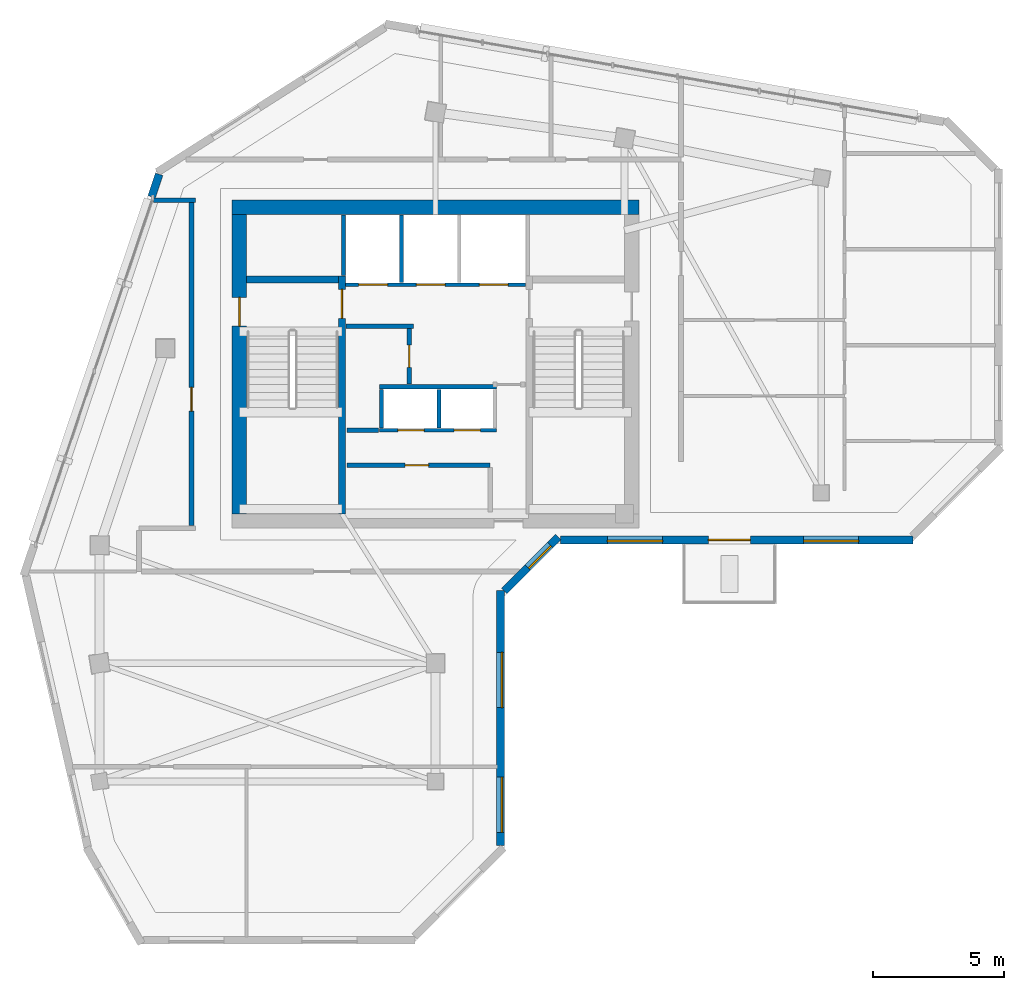
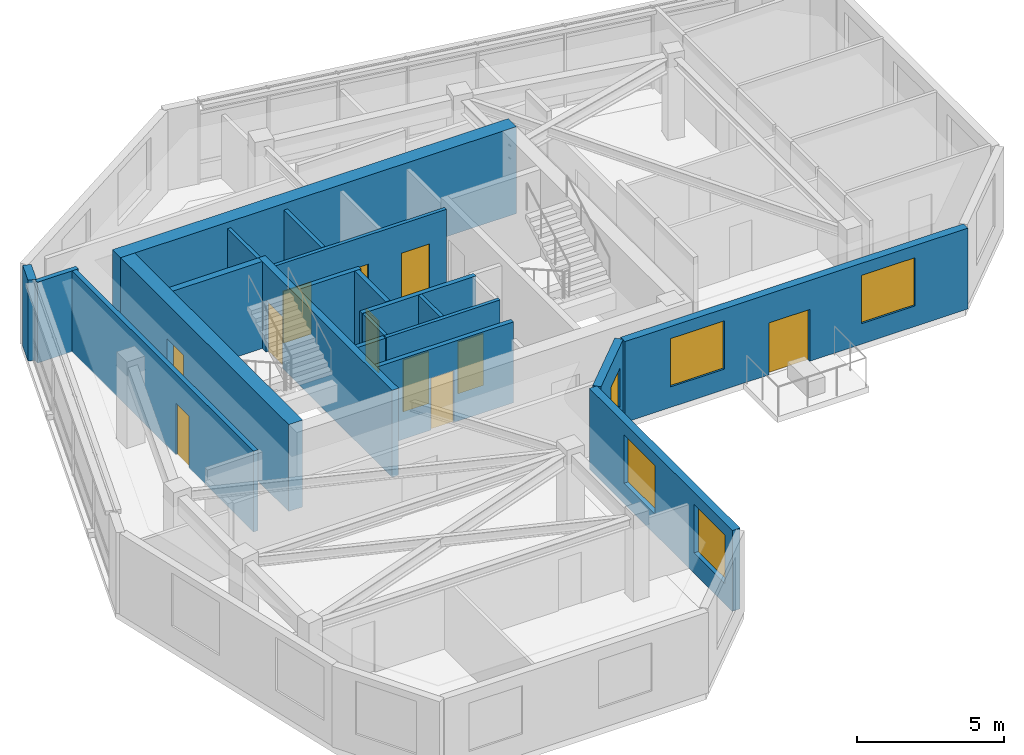
# One storey, part 4 of 9: 21 walls, 11 doors, 5 windows, 16 openings.
"""IFC4 building model written with IfcOpenShell, lengths in metres."""

from ifc_helpers import new_model, si_unit, direction, frame, frame_2d, origin, place, context, subcontext, project, spatial, rectangle, extrude, source, transform, mapped, material, layer, layer_set, type_object, element, fill, save


model = new_model("IFC4")

# Units and contexts
model_context = context("Model", 3, precision=1e-05, world=origin(), true_north=direction((0.0, 1.0)))
body_context = subcontext(model_context, "Body", "Model", "MODEL_VIEW")
ifc_project = project(units=[si_unit("LENGTHUNIT", "METRE"), si_unit("AREAUNIT", "SQUARE_METRE"), si_unit("VOLUMEUNIT", "CUBIC_METRE"), si_unit("PLANEANGLEUNIT", "RADIAN"), si_unit("MASSUNIT", "GRAM", prefix="KILO")], contexts=[model_context])

# Site, building, storey
site_placement = place(None, origin())
site = spatial("IfcSite", under=ifc_project, at=site_placement, CompositionType="ELEMENT")
building_placement = place(site_placement, origin())
building = spatial("IfcBuilding", under=site, at=building_placement, Name="Calvemar Wedge Station Tower", CompositionType="ELEMENT")
storey_placement = place(building_placement, frame((0.0, 0.0, 270.89990234375)))
storey = spatial("IfcBuildingStorey", under=building, at=storey_placement, Name="L69", CompositionType="ELEMENT", Elevation=270.89990234375)

# Wall, opening, door
ifc_material_1 = material(Name="Concrete C50", Category="concrete")
ifc_layer_1 = layer(ifc_material_1, 0.260009765625)
ifc_layer_set_1 = layer_set([ifc_layer_1], Name="Concrete C50")
wall_type_1 = type_object("IfcWallType", Name="SW-CORE-260", PredefinedType="SHEAR", material=ifc_layer_set_1)
wall_1_placement = place(storey_placement, frame((20.22998046875, 34.199951171875, 0.0), z_axis=(0.0, 0.0, 1.0), x_axis=(0.0, 1.0, 0.0)))
wall_1 = element("IfcWall", 1, at=wall_1_placement, inside=storey, type_object=wall_type_1, Name="Storey L69 Core Shear Wall SPINE-W", PredefinedType="SHEAR", context=body_context, shape_type="SweptSolid", body=[
    extrude(rectangle(XDim=9.06005859375, YDim=0.260009765625, at=frame_2d((4.530029296875, 0.0))), origin(), (0.0, 0.0, 1.0), 3.60009765625),
])
shared_shape_1 = source(origin(), body_context, "Body", "SweptSolid", [
    extrude(rectangle(XDim=1.10009765625, YDim=2.14990234375, at=frame_2d((0.550048828125, 1.074951171875))), frame((0.0, 0.14013671875, 0.0), z_axis=(0.0, -1.0, 0.0), x_axis=(1.0, 0.0, 0.0)), (0.0, 0.0, 1.0), 0.280029296875),
])
opening_1_placement = place(wall_1_placement, frame((7.449951171875, 0.0, 0.0)))
opening_1 = element("IfcOpeningElement", 2, at=opening_1_placement, cuts=wall_1, Name="Opening FD-90", PredefinedType="OPENING", context=body_context, shape_type="MappedRepresentation", body=[
    mapped(shared_shape_1, transform((0.0, 0.0, 0.0), scale=1.0)),
])
ifc_material_2 = material(Name="Galvanized fire-rated steel door leaf P-90", Category="steel")
door_type_1 = type_object("IfcDoorType", Name="DR-FD90-1100", OperationType="NOTDEFINED", PredefinedType="DOOR", material=ifc_material_2)
shared_shape_2 = source(origin(), body_context, "Body", "SweptSolid", [
    extrude(rectangle(XDim=1.10009765625, YDim=2.14990234375, at=frame_2d((0.550048828125, 1.074951171875))), frame((0.0, 0.02490234375, 0.0), z_axis=(0.0, -1.0, 0.0), x_axis=(1.0, 0.0, 0.0)), (0.0, 0.0, 1.0), 0.050048828125),
])
door_1_placement = place(opening_1_placement, origin())
door_1 = element("IfcDoor", 3, at=door_1_placement, inside=storey, type_object=door_type_1, Name="L69 FF Lobby to Stair ST-C1 Door", OperationType="SINGLE_SWING_LEFT", OverallHeight=2.14990234375, OverallWidth=1.10009765625, PredefinedType="DOOR", context=body_context, shape_type="MappedRepresentation", body=[
    mapped(shared_shape_2, transform((0.0, 0.0, 0.0), scale=1.0)),
])
fill(opening_1, door_1)

# Walls
wall_2_placement = place(storey_placement, frame((16.60009765625, 43.1298828125, 0.0), z_axis=(0.0, 0.0, 1.0), x_axis=(1.0, 0.0, 0.0)))
element("IfcWall", 4, at=wall_2_placement, inside=storey, type_object=wall_type_1, Name="Storey L69 Core Shear Wall STC1-N", PredefinedType="SHEAR", context=body_context, shape_type="SweptSolid", body=[
    extrude(rectangle(XDim=3.5, YDim=0.260009765625, at=frame_2d((1.75, 0.0))), origin(), (0.0, 0.0, 1.0), 3.60009765625),
])
ifc_material_3 = material(Name="Concrete C60", Category="concrete")
ifc_layer_2 = layer(ifc_material_3, 0.550048828125)
ifc_layer_set_2 = layer_set([ifc_layer_2], Name="Concrete C60")
wall_type_2 = type_object("IfcWallType", Name="SW-CORE-550", PredefinedType="SHEAR", material=ifc_layer_set_2)
wall_3_placement = place(storey_placement, frame((16.050048828125, 45.875, 0.0), z_axis=(0.0, 0.0, 1.0), x_axis=(1.0, 0.0, 0.0)))
element("IfcWall", 5, at=wall_3_placement, inside=storey, type_object=wall_type_2, Name="Storey L69 Core Shear Wall N", PredefinedType="SHEAR", context=body_context, shape_type="SweptSolid", body=[
    extrude(rectangle(XDim=15.5, YDim=0.550048828125, at=frame_2d((7.75, 0.0))), origin(), (0.0, 0.0, 1.0), 3.60009765625),
])

# Wall, opening, door
wall_4_placement = place(storey_placement, frame((16.324951171875, 34.199951171875, 0.0), z_axis=(0.0, 0.0, 1.0), x_axis=(0.0, 1.0, 0.0)))
wall_4 = element("IfcWall", 6, at=wall_4_placement, inside=storey, type_object=wall_type_2, Name="Storey L69 Core Shear Wall W", PredefinedType="SHEAR", context=body_context, shape_type="SweptSolid", body=[
    extrude(rectangle(XDim=11.400146484375, YDim=0.550048828125, at=frame_2d((5.7001953125, 0.0))), origin(), (0.0, 0.0, 1.0), 3.60009765625),
])
shared_shape_3 = source(origin(), body_context, "Body", "SweptSolid", [
    extrude(rectangle(XDim=1.10009765625, YDim=2.14990234375, at=frame_2d((0.550048828125, 1.074951171875))), frame((0.0, 0.28515625, 0.0), z_axis=(0.0, -1.0, 0.0), x_axis=(1.0, 0.0, 0.0)), (0.0, 0.0, 1.0), 0.570068359375),
])
opening_2_placement = place(wall_4_placement, frame((7.14990234375, 0.0, 0.0)))
opening_2 = element("IfcOpeningElement", 7, at=opening_2_placement, cuts=wall_4, Name="Opening FD-90", PredefinedType="OPENING", context=body_context, shape_type="MappedRepresentation", body=[
    mapped(shared_shape_3, transform((0.0, 0.0, 0.0), scale=1.0)),
])
door_2_placement = place(opening_2_placement, origin())
door_2 = element("IfcDoor", 8, at=door_2_placement, inside=storey, type_object=door_type_1, Name="L69 West Corridor to Exit Stair ST-C1 Door", OperationType="SINGLE_SWING_LEFT", OverallHeight=2.14990234375, OverallWidth=1.10009765625, PredefinedType="DOOR", context=body_context, shape_type="MappedRepresentation", body=[
    mapped(shared_shape_2, transform((0.0, 0.0, 0.0), scale=1.0)),
])
fill(opening_2, door_2)

# Wall
ifc_material_4 = material(Name="Double-stud fire-rated corridor partition")
ifc_layer_3 = layer(ifc_material_4, 0.179931640625)
ifc_layer_set_3 = layer_set([ifc_layer_3], Name="Double-stud fire-rated corridor partition")
wall_type_3 = type_object("IfcWallType", Name="W-CORR-180", PredefinedType="PARTITIONING", material=ifc_layer_set_3)
wall_5_placement = place(storey_placement, frame((22.9599609375, 41.35009765625, 0.0), z_axis=(0.0, 0.0, 1.0), x_axis=(-1.0, 0.0, 0.0)))
element("IfcWall", 9, at=wall_5_placement, inside=storey, type_object=wall_type_3, Name="Storey L69 Interior Partition WL-L69-001", PredefinedType="PARTITIONING", context=body_context, shape_type="SweptSolid", body=[
    extrude(rectangle(XDim=2.580078125, YDim=0.179931640625, at=frame_2d((1.2900390625, 0.0))), origin(), (0.0, 0.0, 1.0), 3.35009765625),
])

# Wall, opening, door
wall_6_placement = place(storey_placement, frame((22.800048828125, 41.256103515625, 0.0), z_axis=(0.0, 0.0, 1.0), x_axis=(0.0, -1.0, 0.0)))
wall_6 = element("IfcWall", 10, at=wall_6_placement, inside=storey, type_object=wall_type_3, Name="Storey L69 Interior Partition WL-L69-002", PredefinedType="PARTITIONING", context=body_context, shape_type="SweptSolid", body=[
    extrude(rectangle(XDim=2.106201171875, YDim=0.179931640625, at=frame_2d((1.05322265625, 0.0))), origin(), (0.0, 0.0, 1.0), 3.35009765625),
])
shared_shape_4 = source(origin(), body_context, "Body", "SweptSolid", [
    extrude(rectangle(XDim=0.85009765625, YDim=2.14990234375, at=frame_2d((0.425048828125, 1.074951171875))), frame((0.0, 0.10009765625, 0.0), z_axis=(0.0, -1.0, 0.0), x_axis=(1.0, 0.0, 0.0)), (0.0, 0.0, 1.0), 0.199951171875),
])
opening_3_placement = place(wall_6_placement, frame((0.6279296875, 0.0, 0.0)))
opening_3 = element("IfcOpeningElement", 11, at=opening_3_placement, cuts=wall_6, Name="Opening FD-60S", PredefinedType="OPENING", context=body_context, shape_type="MappedRepresentation", body=[
    mapped(shared_shape_4, transform((0.0, 0.0, 0.0), scale=1.0)),
])
ifc_material_5 = material(Name="Fire-rated steel and hardwood service door EI 60", Category="steel")
door_type_2 = type_object("IfcDoorType", Name="DR-CORE-FD60-850", OperationType="NOTDEFINED", PredefinedType="DOOR", material=ifc_material_5)
shared_shape_5 = source(origin(), body_context, "Body", "SweptSolid", [
    extrude(rectangle(XDim=0.85009765625, YDim=2.14990234375, at=frame_2d((0.425048828125, 1.074951171875))), frame((0.0, 0.02490234375, 0.0), z_axis=(0.0, -1.0, 0.0), x_axis=(1.0, 0.0, 0.0)), (0.0, 0.0, 1.0), 0.050048828125),
])
door_3_placement = place(opening_3_placement, origin())
door_3 = element("IfcDoor", 12, at=door_3_placement, inside=storey, type_object=door_type_2, Name="L69 Core Electrical Switch Room Door", OperationType="SINGLE_SWING_RIGHT", OverallHeight=2.14990234375, OverallWidth=0.85009765625, PredefinedType="DOOR", context=body_context, shape_type="MappedRepresentation", body=[
    mapped(shared_shape_5, transform((0.0, 0.0, 0.0), scale=1.0)),
])
fill(opening_3, door_3)

# Wall
wall_7_placement = place(storey_placement, frame((21.6298828125, 37.3798828125, 0.0), z_axis=(0.0, 0.0, 1.0), x_axis=(-1.0, 0.0, 0.0)))
element("IfcWall", 13, at=wall_7_placement, inside=storey, type_object=wall_type_3, Name="Storey L69 Interior Partition WL-L69-003", PredefinedType="PARTITIONING", context=body_context, shape_type="SweptSolid", body=[
    extrude(rectangle(XDim=1.2099609375, YDim=0.179931640625, at=frame_2d((0.60498046875, 0.0))), origin(), (0.0, 0.0, 1.0), 3.35009765625),
])

# Wall, opening, door
wall_8_placement = place(storey_placement, frame((20.419921875, 36.050048828125, 0.0), z_axis=(0.0, 0.0, 1.0), x_axis=(1.0, 0.0, 0.0)))
wall_8 = element("IfcWall", 14, at=wall_8_placement, inside=storey, type_object=wall_type_3, Name="Storey L69 Interior Partition WL-L69-005", PredefinedType="PARTITIONING", context=body_context, shape_type="SweptSolid", body=[
    extrude(rectangle(XDim=5.4599609375, YDim=0.179931640625, at=frame_2d((2.72998046875, 0.0))), origin(), (0.0, 0.0, 1.0), 3.35009765625),
])
shared_shape_6 = source(origin(), body_context, "Body", "SweptSolid", [
    extrude(rectangle(XDim=0.89990234375, YDim=2.14990234375, at=frame_2d((0.449951171875, 1.074951171875))), frame((0.0, 0.10009765625, 0.0), z_axis=(0.0, -1.0, 0.0), x_axis=(1.0, 0.0, 0.0)), (0.0, 0.0, 1.0), 0.199951171875),
])
opening_4_placement = place(wall_8_placement, frame((2.219482421875, 0.0, 0.0)))
opening_4 = element("IfcOpeningElement", 15, at=opening_4_placement, cuts=wall_8, Name="Opening FD-60", PredefinedType="OPENING", context=body_context, shape_type="MappedRepresentation", body=[
    mapped(shared_shape_6, transform((0.0, 0.0, 0.0), scale=1.0)),
])
ifc_material_6 = material(Name="Fire-rated acoustic timber-core entrance door EI 60", Category="wood")
door_type_3 = type_object("IfcDoorType", Name="DR-FD60-900", OperationType="NOTDEFINED", PredefinedType="DOOR", material=ifc_material_6)
shared_shape_7 = source(origin(), body_context, "Body", "SweptSolid", [
    extrude(rectangle(XDim=0.89990234375, YDim=2.14990234375, at=frame_2d((0.449951171875, 1.074951171875))), frame((0.0, 0.02490234375, 0.0), z_axis=(0.0, -1.0, 0.0), x_axis=(1.0, 0.0, 0.0)), (0.0, 0.0, 1.0), 0.050048828125),
])
door_4_placement = place(opening_4_placement, origin())
door_4 = element("IfcDoor", 16, at=door_4_placement, inside=storey, type_object=door_type_3, Name="L69 Wine and Parcel Store Door", OperationType="SINGLE_SWING_RIGHT", OverallHeight=2.14990234375, OverallWidth=0.89990234375, PredefinedType="DOOR", context=body_context, shape_type="MappedRepresentation", body=[
    mapped(shared_shape_7, transform((0.0, 0.0, 0.0), scale=1.0)),
])
fill(opening_4, door_4)

wall_9_placement = place(storey_placement, frame((14.5, 33.743896484375, 0.0), z_axis=(0.0, 0.0, 1.0), x_axis=(0.0, 1.0, 0.0)))
wall_9 = element("IfcWall", 17, at=wall_9_placement, inside=storey, type_object=wall_type_3, Name="Storey L69 Interior Partition WL-L69-010", PredefinedType="PARTITIONING", context=body_context, shape_type="SweptSolid", body=[
    extrude(rectangle(XDim=12.406005859375, YDim=0.179931640625, at=frame_2d((6.203125, 0.0))), origin(), (0.0, 0.0, 1.0), 3.35009765625),
])
opening_5_placement = place(wall_9_placement, frame((4.36962890625, 0.0, 0.0)))
opening_5 = element("IfcOpeningElement", 18, at=opening_5_placement, cuts=wall_9, Name="Opening D-01", PredefinedType="OPENING", context=body_context, shape_type="MappedRepresentation", body=[
    mapped(shared_shape_6, transform((0.0, 0.0, 0.0), scale=1.0)),
])
ifc_material_7 = material(Name="Architectural hardwood acoustic swing door", Category="wood")
door_type_4 = type_object("IfcDoorType", Name="DR-INT-900", OperationType="NOTDEFINED", PredefinedType="DOOR", material=ifc_material_7)
shared_shape_8 = source(origin(), body_context, "Body", "SweptSolid", [
    extrude(rectangle(XDim=0.89990234375, YDim=2.14990234375, at=frame_2d((0.449951171875, 1.074951171875))), frame((0.0, 0.02490234375, 0.0), z_axis=(0.0, -1.0, 0.0), x_axis=(1.0, 0.0, 0.0)), (0.0, 0.0, 1.0), 0.050048828125),
])
door_5_placement = place(opening_5_placement, origin())
door_5 = element("IfcDoor", 19, at=door_5_placement, inside=storey, type_object=door_type_4, Name="L69 Resident Reading Lounge Door", OperationType="SINGLE_SWING_LEFT", OverallHeight=2.14990234375, OverallWidth=0.89990234375, PredefinedType="DOOR", context=body_context, shape_type="MappedRepresentation", body=[
    mapped(shared_shape_8, transform((0.0, 0.0, 0.0), scale=1.0)),
])
fill(opening_5, door_5)

# Wall
wall_10_placement = place(storey_placement, frame((14.659912109375, 46.14990234375, 0.0), z_axis=(0.0, 0.0, 1.0), x_axis=(-1.0, 0.0, 0.0)))
element("IfcWall", 20, at=wall_10_placement, inside=storey, type_object=wall_type_3, Name="Storey L69 Interior Partition WL-L69-011", PredefinedType="PARTITIONING", context=body_context, shape_type="SweptSolid", body=[
    extrude(rectangle(XDim=1.602294921875, YDim=0.179931640625, at=frame_2d((0.80126953125, 0.0))), origin(), (0.0, 0.0, 1.0), 3.35009765625),
])

# Wall, openings, windows
ifc_material_8 = material(Name="Precast concrete C45", Category="concrete")
ifc_layer_4 = layer(ifc_material_8, 0.300048828125)
ifc_layer_set_4 = layer_set([ifc_layer_4], Name="Precast concrete C45")
wall_type_4 = type_object("IfcWallType", Name="W-EXT-GFRC-300", PredefinedType="SOLIDWALL", material=ifc_layer_set_4)
wall_11_placement = place(storey_placement, frame((26.281982421875, 21.557373046875, 0.0), z_axis=(0.0, 0.0, 1.0), x_axis=(0.0, 1.0, 0.0)))
wall_11 = element("IfcWall", 21, at=wall_11_placement, inside=storey, type_object=wall_type_4, Name="Storey L69 Bronze GFRC Exterior Wall 4", PredefinedType="SOLIDWALL", context=body_context, shape_type="SweptSolid", body=[
    extrude(rectangle(XDim=9.710693359375, YDim=0.300048828125, at=frame_2d((4.85546875, 0.0))), origin(), (0.0, 0.0, 1.0), 3.35009765625),
])
shared_shape_9 = source(origin(), body_context, "Body", "SweptSolid", [
    extrude(rectangle(XDim=2.10009765625, YDim=2.0, at=frame_2d((1.050048828125, 1.0))), frame((0.0, 0.16015625, 0.0), z_axis=(0.0, -1.0, 0.0), x_axis=(1.0, 0.0, 0.0)), (0.0, 0.0, 1.0), 0.320068359375),
])
opening_6_placement = place(wall_11_placement, frame((0.50390625, 0.0, 0.85009765625)))
opening_6 = element("IfcOpeningElement", 22, at=opening_6_placement, cuts=wall_11, Name="Opening W4", PredefinedType="OPENING", context=body_context, shape_type="MappedRepresentation", body=[
    mapped(shared_shape_9, transform((0.0, 0.0, 0.0), scale=1.0)),
])
opening_7_placement = place(wall_11_placement, frame((5.259033203125, 0.0, 0.85009765625)))
opening_7 = element("IfcOpeningElement", 23, at=opening_7_placement, cuts=wall_11, Name="Opening W4", PredefinedType="OPENING", context=body_context, shape_type="MappedRepresentation", body=[
    mapped(shared_shape_9, transform((0.0, 0.0, 0.0), scale=1.0)),
])
ifc_material_9 = material(Name="Low-E laminated insulated glass", Category="glass")
window_type_1 = type_object("IfcWindowType", Name="WIN-EXT-4", PartitioningType="SINGLE_PANEL", PredefinedType="WINDOW", material=ifc_material_9)
shared_shape_10 = source(origin(), body_context, "Body", "SweptSolid", [
    extrude(rectangle(XDim=2.10009765625, YDim=2.0, at=frame_2d((1.050048828125, 1.0))), frame((0.0, -0.014892578125, 0.0), z_axis=(0.0, -1.0, 0.0), x_axis=(1.0, 0.0, 0.0)), (0.0, 0.0, 1.0), 0.06005859375),
])
window_1_placement = place(opening_6_placement, origin())
window_1 = element("IfcWindow", 24, at=window_1_placement, inside=storey, type_object=window_type_1, Name="Storey L69 Recessed Window 4.1", OverallHeight=2.0, OverallWidth=2.10009765625, PartitioningType="SINGLE_PANEL", PredefinedType="WINDOW", context=body_context, shape_type="MappedRepresentation", body=[
    mapped(shared_shape_10, transform((0.0, 0.0, 0.0), scale=1.0)),
])
fill(opening_6, window_1)
window_2_placement = place(opening_7_placement, origin())
window_2 = element("IfcWindow", 25, at=window_2_placement, inside=storey, type_object=window_type_1, Name="Storey L69 Recessed Window 4.2", OverallHeight=2.0, OverallWidth=2.10009765625, PartitioningType="SINGLE_PANEL", PredefinedType="WINDOW", context=body_context, shape_type="MappedRepresentation", body=[
    mapped(shared_shape_10, transform((0.0, 0.0, 0.0), scale=1.0)),
])
fill(opening_7, window_2)

# Wall, opening, window
wall_12_placement = place(storey_placement, frame((26.419921875, 31.256103515625, 0.0), z_axis=(0.0, 0.0, 1.0), x_axis=(0.707106781187, 0.707106781187, 0.0)))
wall_12 = element("IfcWall", 26, at=wall_12_placement, inside=storey, type_object=wall_type_4, Name="Storey L69 Bronze GFRC Exterior Wall 5", PredefinedType="SOLIDWALL", context=body_context, shape_type="SweptSolid", body=[
    extrude(rectangle(XDim=2.907470703125, YDim=0.300048828125, at=frame_2d((1.45361328125, 0.0))), origin(), (0.0, 0.0, 1.0), 3.35009765625),
])
shared_shape_11 = source(origin(), body_context, "Body", "SweptSolid", [
    extrude(rectangle(XDim=1.199951171875, YDim=1.60009765625, at=frame_2d((0.60009765625, 0.800048828125))), frame((0.0, 0.16015625, 0.0), z_axis=(0.0, -1.0, 0.0), x_axis=(1.0, 0.0, 0.0)), (0.0, 0.0, 1.0), 0.320068359375),
])
opening_8_placement = place(wall_12_placement, frame((1.27197265625, 0.0, 0.85009765625)))
opening_8 = element("IfcOpeningElement", 27, at=opening_8_placement, cuts=wall_12, Name="Opening W5", PredefinedType="OPENING", context=body_context, shape_type="MappedRepresentation", body=[
    mapped(shared_shape_11, transform((0.0, 0.0, 0.0), scale=1.0)),
])
window_type_2 = type_object("IfcWindowType", Name="WIN-EXT-5", PartitioningType="SINGLE_PANEL", PredefinedType="WINDOW", material=ifc_material_9)
shared_shape_12 = source(origin(), body_context, "Body", "SweptSolid", [
    extrude(rectangle(XDim=1.199951171875, YDim=1.60009765625, at=frame_2d((0.60009765625, 0.800048828125))), frame((0.0, -0.014892578125, 0.0), z_axis=(0.0, -1.0, 0.0), x_axis=(1.0, 0.0, 0.0)), (0.0, 0.0, 1.0), 0.06005859375),
])
window_3_placement = place(opening_8_placement, origin())
window_3 = element("IfcWindow", 28, at=window_3_placement, inside=storey, type_object=window_type_2, Name="Storey L69 Recessed Window 5.1", OverallHeight=1.60009765625, OverallWidth=1.199951171875, PartitioningType="SINGLE_PANEL", PredefinedType="WINDOW", context=body_context, shape_type="MappedRepresentation", body=[
    mapped(shared_shape_12, transform((0.0, 0.0, 0.0), scale=1.0)),
])
fill(opening_8, window_3)

# Wall, openings, windows, door
wall_13_placement = place(storey_placement, frame((28.56494140625, 33.2060546875, 0.0), z_axis=(0.0, 0.0, 1.0), x_axis=(1.0, 0.0, 0.0)))
wall_13 = element("IfcWall", 29, at=wall_13_placement, inside=storey, type_object=wall_type_4, Name="Storey L69 Bronze GFRC Exterior Wall 6", PredefinedType="SOLIDWALL", context=body_context, shape_type="SweptSolid", body=[
    extrude(rectangle(XDim=13.4228515625, YDim=0.300048828125, at=frame_2d((6.71142578125, 0.0))), origin(), (0.0, 0.0, 1.0), 3.35009765625),
])
shared_shape_13 = source(origin(), body_context, "Body", "SweptSolid", [
    extrude(rectangle(XDim=1.60009765625, YDim=2.14990234375, at=frame_2d((0.800048828125, 1.074951171875))), frame((0.0, 0.16015625, 0.0), z_axis=(0.0, -1.0, 0.0), x_axis=(1.0, 0.0, 0.0)), (0.0, 0.0, 1.0), 0.320068359375),
])
opening_9_placement = place(wall_13_placement, frame((5.635009765625, 0.0, 0.0)))
opening_9 = element("IfcOpeningElement", 30, at=opening_9_placement, cuts=wall_13, Name="Opening DT1", PredefinedType="OPENING", context=body_context, shape_type="MappedRepresentation", body=[
    mapped(shared_shape_13, transform((0.0, 0.0, 0.0), scale=1.0)),
])
opening_10_placement = place(wall_13_placement, frame((1.787109375, 0.0, 0.85009765625)))
opening_10 = element("IfcOpeningElement", 31, at=opening_10_placement, cuts=wall_13, Name="Opening W4", PredefinedType="OPENING", context=body_context, shape_type="MappedRepresentation", body=[
    mapped(shared_shape_9, transform((0.0, 0.0, 0.0), scale=1.0)),
])
opening_11_placement = place(wall_13_placement, frame((9.259033203125, 0.0, 0.85009765625)))
opening_11 = element("IfcOpeningElement", 32, at=opening_11_placement, cuts=wall_13, Name="Opening W4", PredefinedType="OPENING", context=body_context, shape_type="MappedRepresentation", body=[
    mapped(shared_shape_9, transform((0.0, 0.0, 0.0), scale=1.0)),
])
window_4_placement = place(opening_10_placement, origin())
window_4 = element("IfcWindow", 33, at=window_4_placement, inside=storey, type_object=window_type_1, Name="Storey L69 Recessed Window 6.1", OverallHeight=2.0, OverallWidth=2.10009765625, PartitioningType="SINGLE_PANEL", PredefinedType="WINDOW", context=body_context, shape_type="MappedRepresentation", body=[
    mapped(shared_shape_10, transform((0.0, 0.0, 0.0), scale=1.0)),
])
fill(opening_10, window_4)
window_5_placement = place(opening_11_placement, origin())
window_5 = element("IfcWindow", 34, at=window_5_placement, inside=storey, type_object=window_type_1, Name="Storey L69 Recessed Window 6.2", OverallHeight=2.0, OverallWidth=2.10009765625, PartitioningType="SINGLE_PANEL", PredefinedType="WINDOW", context=body_context, shape_type="MappedRepresentation", body=[
    mapped(shared_shape_10, transform((0.0, 0.0, 0.0), scale=1.0)),
])
fill(opening_11, window_5)
ifc_material_10 = material(Name="Anodised aluminium 6063-T6", Category="aluminium")
door_type_5 = type_object("IfcDoorType", Name="DR-TERR-1600", OperationType="DOUBLE_DOOR_SLIDING", PredefinedType="DOOR", material=ifc_material_10)
shared_shape_14 = source(origin(), body_context, "Body", "SweptSolid", [
    extrude(rectangle(XDim=1.60009765625, YDim=2.14990234375, at=frame_2d((0.800048828125, 1.074951171875))), frame((0.0, 0.02490234375, 0.0), z_axis=(0.0, -1.0, 0.0), x_axis=(1.0, 0.0, 0.0)), (0.0, 0.0, 1.0), 0.050048828125),
])
door_6_placement = place(opening_9_placement, origin())
door_6 = element("IfcDoor", 35, at=door_6_placement, inside=storey, type_object=door_type_5, Name="Storey L69 Spiral Terrace Door", OperationType="DOUBLE_DOOR_SLIDING", OverallHeight=2.14990234375, OverallWidth=1.60009765625, PredefinedType="DOOR", context=body_context, shape_type="MappedRepresentation", body=[
    mapped(shared_shape_14, transform((0.0, 0.0, 0.0), scale=1.0)),
])
fill(opening_9, door_6)

# Wall
wall_14_placement = place(storey_placement, frame((13.2685546875, 47.1337890625, 0.0), z_axis=(0.0, 0.0, 1.0), x_axis=(-0.31995770778, -0.947431826166, 0.0)))
element("IfcWall", 36, at=wall_14_placement, inside=storey, type_object=wall_type_4, Name="Storey L69 Bronze GFRC Corner Pier 12A", PredefinedType="SOLIDWALL", context=body_context, shape_type="SweptSolid", body=[
    extrude(rectangle(XDim=0.902587890625, YDim=0.300048828125, at=frame_2d((0.451171875, 0.0))), origin(), (0.0, 0.0, 1.0), 3.35009765625),
])

# Wall, openings, doors
ifc_material_11 = material(Name="Reinforced concrete blockwork lift shaft wall", Category="masonry")
ifc_layer_5 = layer(ifc_material_11, 0.139892578125)
ifc_layer_set_5 = layer_set([ifc_layer_5], Name="Reinforced concrete blockwork lift shaft wall")
wall_type_5 = type_object("IfcWallType", Name="W-LIFT-160", PredefinedType="SOLIDWALL", material=ifc_layer_set_5)
wall_15_placement = place(storey_placement, frame((20.3701171875, 42.929931640625, 0.0), z_axis=(0.0, 0.0, 1.0), x_axis=(1.0, 0.0, 0.0)))
wall_15 = element("IfcWall", 37, at=wall_15_placement, inside=storey, type_object=wall_type_5, Name="Storey L69 Firefighting and Service Lift Shaft Front Wall", PredefinedType="SOLIDWALL", context=body_context, shape_type="SweptSolid", body=[
    extrude(rectangle(XDim=6.85986328125, YDim=0.139892578125, at=frame_2d((3.429931640625, 0.0))), origin(), (0.0, 0.0, 1.0), 3.35009765625),
])
shared_shape_15 = source(origin(), body_context, "Body", "SweptSolid", [
    extrude(rectangle(XDim=1.10009765625, YDim=2.14990234375, at=frame_2d((0.550048828125, 1.074951171875))), frame((0.0, 0.080078125, 0.0), z_axis=(0.0, -1.0, 0.0), x_axis=(1.0, 0.0, 0.0)), (0.0, 0.0, 1.0), 0.159912109375),
])
opening_12_placement = place(wall_15_placement, frame((0.5, 0.0, 0.0)))
opening_12 = element("IfcOpeningElement", 38, at=opening_12_placement, cuts=wall_15, Name="Opening LD-FF", PredefinedType="OPENING", context=body_context, shape_type="MappedRepresentation", body=[
    mapped(shared_shape_15, transform((0.0, 0.0, 0.0), scale=1.0)),
])
opening_13_placement = place(wall_15_placement, frame((2.699951171875, 0.0, 0.0)))
opening_13 = element("IfcOpeningElement", 39, at=opening_13_placement, cuts=wall_15, Name="Opening LD-FF", PredefinedType="OPENING", context=body_context, shape_type="MappedRepresentation", body=[
    mapped(shared_shape_15, transform((0.0, 0.0, 0.0), scale=1.0)),
])
opening_14_placement = place(wall_15_placement, frame((5.10009765625, 0.0, 0.0)))
opening_14 = element("IfcOpeningElement", 40, at=opening_14_placement, cuts=wall_15, Name="Opening LD-STN", PredefinedType="OPENING", context=body_context, shape_type="MappedRepresentation", body=[
    mapped(shared_shape_15, transform((0.0, 0.0, 0.0), scale=1.0)),
])
ifc_material_12 = material(Name="Stainless steel firefighting lift sliding landing door", Category="steel")
door_type_6 = type_object("IfcDoorType", Name="DR-LD-FF-1100", OperationType="SLIDING_TO_LEFT", PredefinedType="DOOR", material=ifc_material_12)
shared_shape_16 = source(origin(), body_context, "Body", "SweptSolid", [
    extrude(rectangle(XDim=1.10009765625, YDim=2.14990234375, at=frame_2d((0.550048828125, 1.074951171875))), frame((0.0, 0.02490234375, 0.0), z_axis=(0.0, -1.0, 0.0), x_axis=(1.0, 0.0, 0.0)), (0.0, 0.0, 1.0), 0.050048828125),
])
door_7_placement = place(opening_12_placement, origin())
door_7 = element("IfcDoor", 41, at=door_7_placement, inside=storey, type_object=door_type_6, Name="L69 Lift FF-01 Sliding Landing Door", OperationType="SLIDING_TO_LEFT", OverallHeight=2.14990234375, OverallWidth=1.10009765625, PredefinedType="DOOR", context=body_context, shape_type="MappedRepresentation", body=[
    mapped(shared_shape_16, transform((0.0, 0.0, 0.0), scale=1.0)),
])
fill(opening_12, door_7)
door_8_placement = place(opening_13_placement, origin())
door_8 = element("IfcDoor", 42, at=door_8_placement, inside=storey, type_object=door_type_6, Name="L69 Lift FF-02 Sliding Landing Door", OperationType="SLIDING_TO_RIGHT", OverallHeight=2.14990234375, OverallWidth=1.10009765625, PredefinedType="DOOR", context=body_context, shape_type="MappedRepresentation", body=[
    mapped(shared_shape_16, transform((0.0, 0.0, 0.0), scale=1.0)),
])
fill(opening_13, door_8)
ifc_material_13 = material(Name="Stainless steel transit lift sliding landing door", Category="steel")
door_type_7 = type_object("IfcDoorType", Name="DR-LD-PAX-1100", OperationType="SLIDING_TO_LEFT", PredefinedType="DOOR", material=ifc_material_13)
shared_shape_17 = source(origin(), body_context, "Body", "SweptSolid", [
    extrude(rectangle(XDim=1.10009765625, YDim=2.14990234375, at=frame_2d((0.550048828125, 1.074951171875))), frame((0.0, 0.02490234375, 0.0), z_axis=(0.0, -1.0, 0.0), x_axis=(1.0, 0.0, 0.0)), (0.0, 0.0, 1.0), 0.050048828125),
])
door_9_placement = place(opening_14_placement, origin())
door_9 = element("IfcDoor", 43, at=door_9_placement, inside=storey, type_object=door_type_7, Name="L69 Lift SV-01 Sliding Landing Door", OperationType="SLIDING_TO_LEFT", OverallHeight=2.14990234375, OverallWidth=1.10009765625, PredefinedType="DOOR", context=body_context, shape_type="MappedRepresentation", body=[
    mapped(shared_shape_17, transform((0.0, 0.0, 0.0), scale=1.0)),
])
fill(opening_14, door_9)

# Walls
wall_16_placement = place(storey_placement, frame((20.2900390625, 43.280029296875, 0.0), z_axis=(0.0, 0.0, 1.0), x_axis=(0.0, 1.0, 0.0)))
element("IfcWall", 44, at=wall_16_placement, inside=storey, type_object=wall_type_5, Name="Storey L69 Firefighting Lift Shaft Enclosure Wall W", PredefinedType="SOLIDWALL", context=body_context, shape_type="SweptSolid", body=[
    extrude(rectangle(XDim=2.300048828125, YDim=0.139892578125, at=frame_2d((1.14990234375, 0.0))), origin(), (0.0, 0.0, 1.0), 3.35009765625),
])
wall_17_placement = place(storey_placement, frame((22.5, 43.02001953125, 0.0), z_axis=(0.0, 0.0, 1.0), x_axis=(0.0, 1.0, 0.0)))
element("IfcWall", 45, at=wall_17_placement, inside=storey, type_object=wall_type_5, Name="Storey L69 Firefighting Lift Shaft Enclosure Wall D1", PredefinedType="SOLIDWALL", context=body_context, shape_type="SweptSolid", body=[
    extrude(rectangle(XDim=2.56005859375, YDim=0.139892578125, at=frame_2d((1.280029296875, 0.0))), origin(), (0.0, 0.0, 1.0), 3.35009765625),
])

# Wall, openings, doors
wall_18_placement = place(storey_placement, frame((21.669921875, 37.3798828125, 0.0), z_axis=(0.0, 0.0, 1.0), x_axis=(1.0, 0.0, 0.0)))
wall_18 = element("IfcWall", 46, at=wall_18_placement, inside=storey, type_object=wall_type_5, Name="Storey L69 Upper Passenger Lift Bank Front Wall", PredefinedType="SOLIDWALL", context=body_context, shape_type="SweptSolid", body=[
    extrude(rectangle(XDim=4.4599609375, YDim=0.139892578125, at=frame_2d((2.22998046875, 0.0))), origin(), (0.0, 0.0, 1.0), 3.35009765625),
])
shared_shape_18 = source(origin(), body_context, "Body", "SweptSolid", [
    extrude(rectangle(XDim=1.0, YDim=2.14990234375, at=frame_2d((0.5, 1.074951171875))), frame((0.0, 0.080078125, 0.0), z_axis=(0.0, -1.0, 0.0), x_axis=(1.0, 0.0, 0.0)), (0.0, 0.0, 1.0), 0.159912109375),
])
opening_15_placement = place(wall_18_placement, frame((0.695068359375, 0.0, 0.0)))
opening_15 = element("IfcOpeningElement", 47, at=opening_15_placement, cuts=wall_18, Name="Opening LD-PAX", PredefinedType="OPENING", context=body_context, shape_type="MappedRepresentation", body=[
    mapped(shared_shape_18, transform((0.0, 0.0, 0.0), scale=1.0)),
])
opening_16_placement = place(wall_18_placement, frame((2.8349609375, 0.0, 0.0)))
opening_16 = element("IfcOpeningElement", 48, at=opening_16_placement, cuts=wall_18, Name="Opening LD-PAX", PredefinedType="OPENING", context=body_context, shape_type="MappedRepresentation", body=[
    mapped(shared_shape_18, transform((0.0, 0.0, 0.0), scale=1.0)),
])
ifc_material_14 = material(Name="Anodised bronze passenger lift sliding landing door")
door_type_8 = type_object("IfcDoorType", Name="DR-LD-PAX-1000", OperationType="SLIDING_TO_LEFT", PredefinedType="DOOR", material=ifc_material_14)
shared_shape_19 = source(origin(), body_context, "Body", "SweptSolid", [
    extrude(rectangle(XDim=1.0, YDim=2.14990234375, at=frame_2d((0.5, 1.074951171875))), frame((0.0, 0.02490234375, 0.0), z_axis=(0.0, -1.0, 0.0), x_axis=(1.0, 0.0, 0.0)), (0.0, 0.0, 1.0), 0.050048828125),
])
door_10_placement = place(opening_15_placement, origin())
door_10 = element("IfcDoor", 49, at=door_10_placement, inside=storey, type_object=door_type_8, Name="L69 Lift RH-02 Sliding Landing Door", OperationType="SLIDING_TO_RIGHT", OverallHeight=2.14990234375, OverallWidth=1.0, PredefinedType="DOOR", context=body_context, shape_type="MappedRepresentation", body=[
    mapped(shared_shape_19, transform((0.0, 0.0, 0.0), scale=1.0)),
])
fill(opening_15, door_10)
door_11_placement = place(opening_16_placement, origin())
door_11 = element("IfcDoor", 50, at=door_11_placement, inside=storey, type_object=door_type_8, Name="L69 Lift RH-03 Sliding Landing Door", OperationType="SLIDING_TO_LEFT", OverallHeight=2.14990234375, OverallWidth=1.0, PredefinedType="DOOR", context=body_context, shape_type="MappedRepresentation", body=[
    mapped(shared_shape_19, transform((0.0, 0.0, 0.0), scale=1.0)),
])
fill(opening_16, door_11)

# Walls
for number, where, z_axis, x_axis, name in (
    (51, (21.739990234375, 37.4599609375, 0.0), (0.0, 0.0, 1.0), (0.0, 1.0, 0.0), "Storey L69 Upper Passenger Lift Shaft Wall W"),
    (52, (23.93505859375, 37.4599609375, 0.0), (0.0, 0.0, 1.0), (0.0, 1.0, 0.0), "Storey L69 Upper Passenger Lift Shaft Wall D1"),
):
    element("IfcWall", number, at=place(storey_placement, frame(where, z_axis=z_axis, x_axis=x_axis)), inside=storey, type_object=wall_type_5, Name=name, PredefinedType="SOLIDWALL", context=body_context, shape_type="SweptSolid", body=[
        extrude(rectangle(XDim=1.47998046875, YDim=0.139892578125, at=frame_2d((0.739990234375, 0.0))), origin(), (0.0, 0.0, 1.0), 3.35009765625),
    ])
ifc_material_15 = material(Name="Concrete blockwork and fireboard shaft wall", Category="masonry")
ifc_layer_6 = layer(ifc_material_15, 0.199951171875)
ifc_layer_set_6 = layer_set([ifc_layer_6], Name="Concrete blockwork and fireboard shaft wall")
wall_type_6 = type_object("IfcWallType", Name="W-SHAFT-200", PredefinedType="SOLIDWALL", material=ifc_layer_set_6)
wall_19_placement = place(storey_placement, frame((21.669921875, 39.0400390625, 0.0), z_axis=(0.0, 0.0, 1.0), x_axis=(1.0, 0.0, 0.0)))
element("IfcWall", 53, at=wall_19_placement, inside=storey, type_object=wall_type_6, Name="Storey L69 Upper Passenger Lift Bank Rear Shaft Wall", PredefinedType="SOLIDWALL", context=body_context, shape_type="SweptSolid", body=[
    extrude(rectangle(XDim=4.4599609375, YDim=0.179931640625, at=frame_2d((2.22998046875, 0.0))), origin(), (0.0, 0.0, 1.0), 3.35009765625),
])

save(model, "model.ifc")
